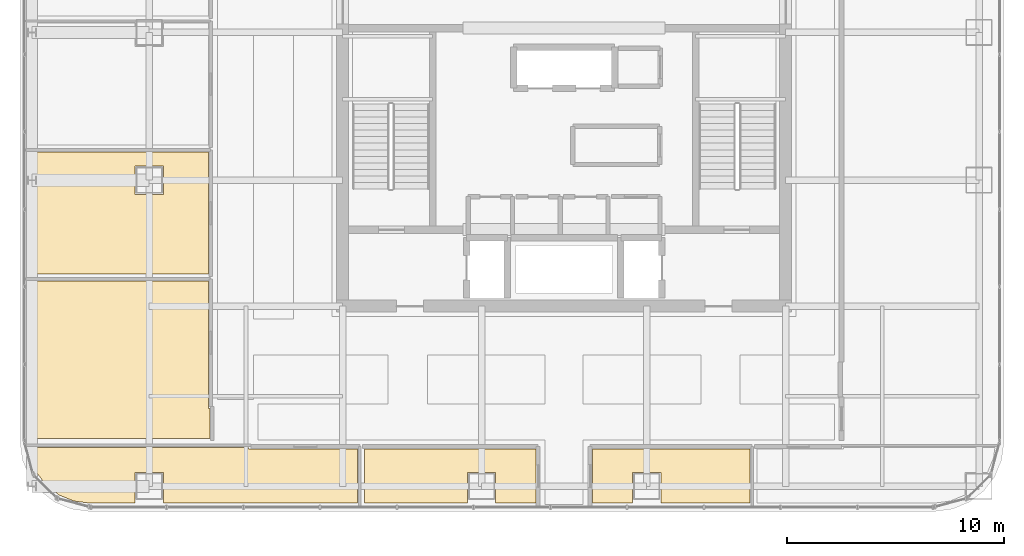
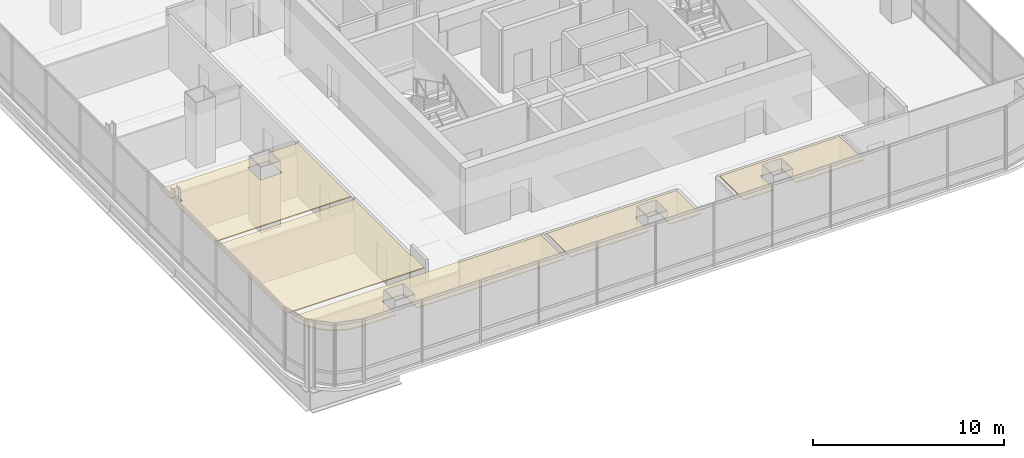
# One storey, part 37 of 42: 5 coverings.
"""IFC4 building model written with IfcOpenShell, lengths in metres."""

from ifc_helpers import new_model, si_unit, direction, frame, origin, place, context, subcontext, project, spatial, polyline, outline, extrude, material, layer, layer_set, type_object, element, save


model = new_model("IFC4")

# Units and contexts
model_context = context("Model", 3, precision=1e-05, world=origin(), true_north=direction((0.0, 1.0)))
body_context = subcontext(model_context, "Body", "Model", "MODEL_VIEW")
ifc_project = project(units=[si_unit("LENGTHUNIT", "METRE"), si_unit("AREAUNIT", "SQUARE_METRE"), si_unit("VOLUMEUNIT", "CUBIC_METRE"), si_unit("PLANEANGLEUNIT", "RADIAN"), si_unit("MASSUNIT", "GRAM", prefix="KILO")], contexts=[model_context])

# Site, building, storey
site_placement = place(None, origin())
site = spatial("IfcSite", under=ifc_project, at=site_placement, CompositionType="ELEMENT")
building_placement = place(site_placement, origin())
building = spatial("IfcBuilding", under=site, at=building_placement, Name="Punatoya Terracotta Tower", CompositionType="ELEMENT")
storey_placement = place(building_placement, frame((0.0, 0.0, 296.39990234375)))
storey = spatial("IfcBuildingStorey", under=building, at=storey_placement, Name="L70", CompositionType="ELEMENT", Elevation=296.39990234375)

# Coverings
ifc_material = material(Name="Acoustic Mineral Fibre Ceiling")
ifc_layer = layer(ifc_material, 0.06005859375)
ifc_layer_set = layer_set([ifc_layer], Name="Acoustic Mineral Fibre Ceiling")
covering_type = type_object("IfcCoveringType", Name="COV-CEIL-60", PredefinedType="CEILING", material=ifc_layer_set)
covering_1_placement = place(storey_placement, frame((0.0, 0.0, 3.39013671875)))
element("IfcCovering", 1, at=covering_1_placement, inside=storey, type_object=covering_type, Name="L70 Open-Plan Client Media Salon Acoustic Ceiling", PredefinedType="CEILING", context=body_context, shape_type="SweptSolid", body=[
    extrude(outline(polyline([(-22.5791015625, -18.1708984375), (-21.8251953125, -18.27001953125), (-19.75, -18.27001953125), (-19.75, -16.85009765625), (-18.449951171875, -16.85009765625), (-18.449951171875, -18.27001953125), (-9.5048828125, -18.27001953125), (-9.5048828125, -15.77001953125), (-14.52001953125, -15.77001953125), (-14.52001953125, -15.7099609375), (-24.632568359375, -15.7099609375), (-24.57080078125, -16.178955078125), (-24.289306640625, -16.8583984375), (-23.841796875, -17.441650390625), (-23.25830078125, -17.889404296875), (-22.5791015625, -18.1708984375)])), origin(), (0.0, 0.0, 1.0), 0.06005859375),
])
covering_2_placement = place(storey_placement, frame((0.0, 0.0, 3.39013671875)))
element("IfcCovering", 2, at=covering_2_placement, inside=storey, type_object=covering_type, Name="L70 Open-Plan Media Broadcast Studio Acoustic Ceiling", PredefinedType="CEILING", context=body_context, shape_type="SweptSolid", body=[
    extrude(outline(polyline([(-4.449951171875, -18.27001953125), (-4.449951171875, -16.85009765625), (-3.14990234375, -16.85009765625), (-3.14990234375, -18.27001953125), (-1.300048828125, -18.27001953125), (-1.300048828125, -15.77001953125), (-9.18505859375, -15.77001953125), (-9.18505859375, -18.27001953125), (-4.449951171875, -18.27001953125)])), origin(), (0.0, 0.0, 1.0), 0.06005859375),
])
covering_3_placement = place(storey_placement, frame((0.0, 0.0, 3.39013671875)))
element("IfcCovering", 3, at=covering_3_placement, inside=storey, type_object=covering_type, Name="L70 Open-Plan Graphic Design Workplace Acoustic Ceiling", PredefinedType="CEILING", context=body_context, shape_type="SweptSolid", body=[
    extrude(outline(polyline([(1.300048828125, -18.27001953125), (3.14990234375, -18.27001953125), (3.14990234375, -16.85009765625), (4.449951171875, -16.85009765625), (4.449951171875, -18.27001953125), (8.552001953125, -18.27001953125), (8.552001953125, -15.77001953125), (1.300048828125, -15.77001953125), (1.300048828125, -18.27001953125)])), origin(), (0.0, 0.0, 1.0), 0.06005859375),
])
covering_4_placement = place(storey_placement, frame((0.0, 0.0, 3.39013671875)))
element("IfcCovering", 4, at=covering_4_placement, inside=storey, type_object=covering_type, Name="L70 Hospitality Tea Pantry Acoustic Ceiling", PredefinedType="CEILING", context=body_context, shape_type="SweptSolid", body=[
    extrude(outline(polyline([(-16.3701171875, -13.919921875), (-16.3701171875, -8.050048828125), (-24.669921875, -8.050048828125), (-24.669921875, -15.2900390625), (-16.31005859375, -15.2900390625), (-16.31005859375, -13.919921875), (-16.3701171875, -13.919921875)])), origin(), (0.0, 0.0, 1.0), 0.06005859375),
])
covering_5_placement = place(storey_placement, frame((0.0, 0.0, 3.39013671875)))
element("IfcCovering", 5, at=covering_5_placement, inside=storey, type_object=covering_type, Name="L70 Open-Plan Acoustic Wellness Room Acoustic Ceiling", PredefinedType="CEILING", context=body_context, shape_type="SweptSolid", body=[
    extrude(outline(polyline([(-24.669921875, -3.657958984375), (-24.669921875, -7.72998046875), (-16.3701171875, -7.72998046875), (-16.3701171875, -2.110107421875), (-24.669921875, -2.110107421875), (-24.669921875, -3.14208984375), (-24.2470703125, -3.14208984375), (-24.2470703125, -3.657958984375), (-24.669921875, -3.657958984375)]), holes=[polyline([(-18.449951171875, -4.050048828125), (-19.75, -4.050048828125), (-19.75, -2.75), (-18.449951171875, -2.75), (-18.449951171875, -4.050048828125)])]), origin(), (0.0, 0.0, 1.0), 0.06005859375),
])

save(model, "model.ifc")
